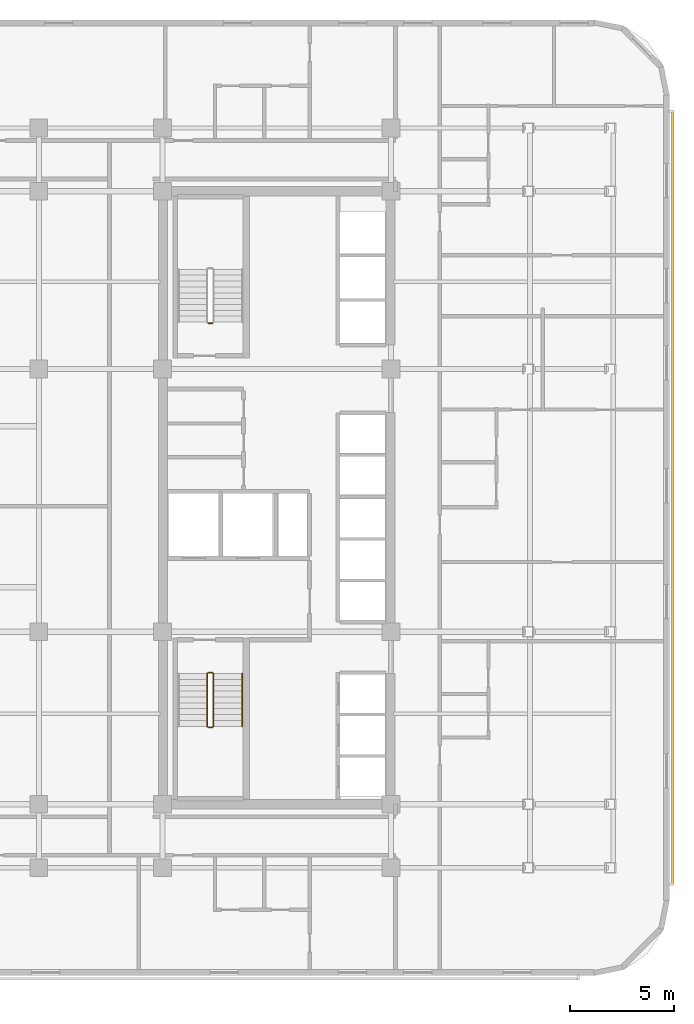
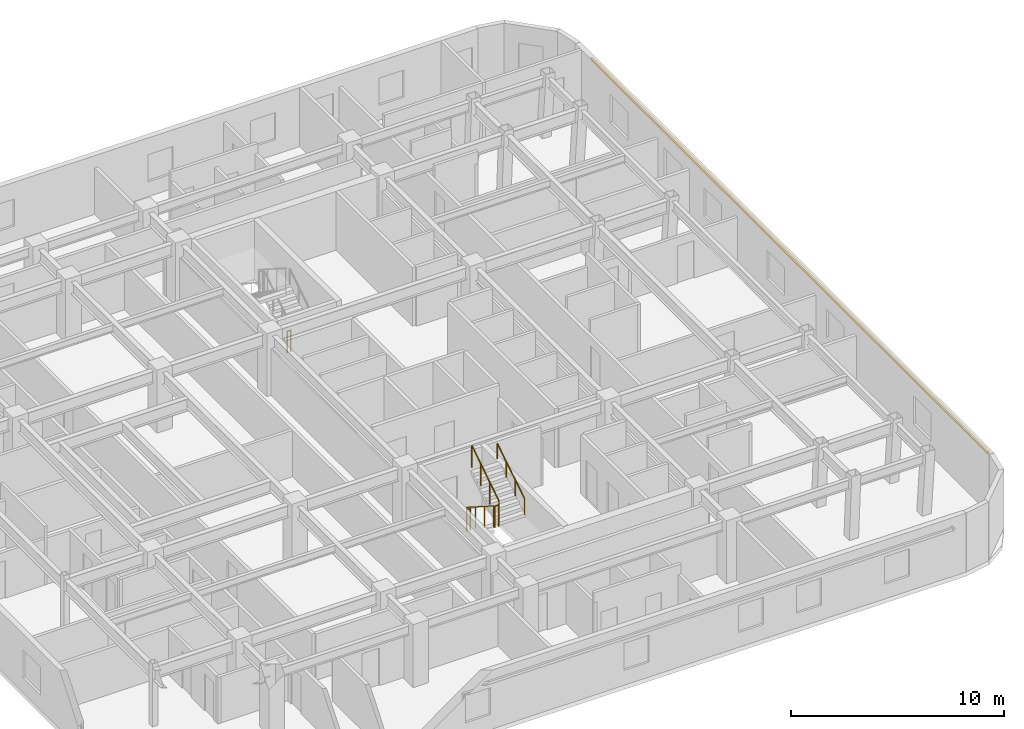
# One storey, part 13 of 14: 6 railings, 1 shading device.
"""IFC4 building model written with IfcOpenShell, lengths in metres."""

from ifc_helpers import new_model, si_unit, direction, frame, origin, origin_2d, place, context, subcontext, project, spatial, rectangle, circle, extrude, material, material_profile, profile_set, type_object, element, save


model = new_model("IFC4")

# Units and contexts
model_context = context("Model", 3, precision=1e-05, world=origin(), true_north=direction((0.0, 1.0)))
body_context = subcontext(model_context, "Body", "Model", "MODEL_VIEW")
ifc_project = project(units=[si_unit("LENGTHUNIT", "METRE"), si_unit("AREAUNIT", "SQUARE_METRE"), si_unit("VOLUMEUNIT", "CUBIC_METRE"), si_unit("PLANEANGLEUNIT", "RADIAN"), si_unit("MASSUNIT", "GRAM", prefix="KILO")], contexts=[model_context])

# Site, building, storey
site_placement = place(None, origin())
site = spatial("IfcSite", under=ifc_project, at=site_placement, CompositionType="ELEMENT")
building_placement = place(site_placement, origin())
building = spatial("IfcBuilding", under=site, at=building_placement, Name="Ochreholt Gables", CompositionType="ELEMENT")
storey_placement = place(building_placement, frame((0.0, 0.0, 52.800048828125)))
storey = spatial("IfcBuildingStorey", under=building, at=storey_placement, Name="L13", CompositionType="ELEMENT", Elevation=52.800048828125)

# Railings
ifc_material_1 = material(Name="Painted Steel Stair Guardrail", Category="steel")
railing_type_1 = type_object("IfcRailingType", Name="RL-ST-GUARD", PredefinedType="GUARDRAIL", material=ifc_material_1)
railing_1_placement = place(storey_placement, frame((26.35009765625, 15.5400390625, 0.179931640625)))
element("IfcRailing", 1, at=railing_1_placement, inside=storey, type_object=railing_type_1, Name="L13 ST-1 stair guard 1", PredefinedType="GUARDRAIL", context=body_context, shape_type="SweptSolid", body=[
    extrude(circle(Radius=0.02392578125, at=origin_2d()), frame((0.0, 0.0, 1.22607421875), z_axis=(0.0, -0.842912820907, 0.538050161556), x_axis=(1.0, 0.0, 0.0)), (0.0, 0.0, 1.0), 3.010986328125),
    extrude(circle(Radius=0.02099609375, at=origin_2d()), origin(), (0.0, 0.0, 1.0), 1.201904296875),
    extrude(circle(Radius=0.02099609375, at=origin_2d()), frame((0.0, -0.845947265625, 0.5400390625)), (0.0, 0.0, 1.0), 1.201904296875),
    extrude(circle(Radius=0.02099609375, at=origin_2d()), frame((0.0, -1.692138671875, 1.080078125)), (0.0, 0.0, 1.0), 1.201904296875),
    extrude(circle(Radius=0.02099609375, at=origin_2d()), frame((0.0, -2.5380859375, 1.6201171875)), (0.0, 0.0, 1.0), 1.201904296875),
])
railing_2_placement = place(storey_placement, frame((26.39990234375, 12.951904296875, 1.800048828125)))
element("IfcRailing", 2, at=railing_2_placement, inside=storey, type_object=railing_type_1, Name="L13 ST-1 stair guard 2", PredefinedType="GUARDRAIL", context=body_context, shape_type="SweptSolid", body=[
    extrude(circle(Radius=0.02392578125, at=origin_2d()), frame((0.0, 0.0, 1.22607421875), z_axis=(1.0, 0.0, 0.0), x_axis=(0.0, 1.0, 0.0)), (0.0, 0.0, 1.0), 0.2001953125),
    extrude(circle(Radius=0.02099609375, at=origin_2d()), origin(), (0.0, 0.0, 1.0), 1.201904296875),
    extrude(circle(Radius=0.02099609375, at=origin_2d()), frame((0.2001953125, 0.0, 0.0)), (0.0, 0.0, 1.0), 1.201904296875),
])
railing_3_placement = place(storey_placement, frame((26.64990234375, 13.001953125, 1.97998046875)))
element("IfcRailing", 3, at=railing_3_placement, inside=storey, type_object=railing_type_1, Name="L13 ST-1 stair guard 3", PredefinedType="GUARDRAIL", context=body_context, shape_type="SweptSolid", body=[
    extrude(circle(Radius=0.02392578125, at=origin_2d()), frame((0.0, 0.0, 1.22607421875), z_axis=(0.0, 0.842949592929, 0.537992549931), x_axis=(-1.0, 0.0, 0.0)), (0.0, 0.0, 1.0), 3.010986328125),
    extrude(circle(Radius=0.02099609375, at=origin_2d()), origin(), (0.0, 0.0, 1.0), 1.201904296875),
    extrude(circle(Radius=0.02099609375, at=origin_2d()), frame((0.0, 0.845947265625, 0.5400390625)), (0.0, 0.0, 1.0), 1.201904296875),
    extrude(circle(Radius=0.02099609375, at=origin_2d()), frame((0.0, 1.692138671875, 1.079833984375)), (0.0, 0.0, 1.0), 1.201904296875),
    extrude(circle(Radius=0.02099609375, at=origin_2d()), frame((0.0, 2.5380859375, 1.619873046875)), (0.0, 0.0, 1.0), 1.201904296875),
])
railing_4_placement = place(storey_placement, frame((26.39990234375, 15.590087890625, 0.0)))
element("IfcRailing", 4, at=railing_4_placement, inside=storey, type_object=railing_type_1, Name="L13 ST-1 stair guard 4", PredefinedType="GUARDRAIL", context=body_context, shape_type="SweptSolid", body=[
    extrude(circle(Radius=0.02392578125, at=origin_2d()), frame((0.0, 0.0, 1.22607421875), z_axis=(1.0, 0.0, 0.0), x_axis=(0.0, 1.0, 0.0)), (0.0, 0.0, 1.0), 0.2001953125),
    extrude(circle(Radius=0.02099609375, at=origin_2d()), origin(), (0.0, 0.0, 1.0), 1.201904296875),
    extrude(circle(Radius=0.02099609375, at=origin_2d()), frame((0.2001953125, 0.0, 0.0)), (0.0, 0.0, 1.0), 1.201904296875),
])
railing_5_placement = place(storey_placement, frame((26.60009765625, 32.409912109375, 0.0)))
element("IfcRailing", 5, at=railing_5_placement, inside=storey, type_object=railing_type_1, Name="L13 ST-2 stair guard 4", PredefinedType="GUARDRAIL", context=body_context, shape_type="SweptSolid", body=[
    extrude(circle(Radius=0.02392578125, at=origin_2d()), frame((0.0, 0.0, 1.22607421875), z_axis=(-1.0, 0.0, 0.0), x_axis=(0.0, -1.0, 0.0)), (0.0, 0.0, 1.0), 0.2001953125),
    extrude(circle(Radius=0.02099609375, at=origin_2d()), origin(), (0.0, 0.0, 1.0), 1.201904296875),
    extrude(circle(Radius=0.02099609375, at=origin_2d()), frame((-0.2001953125, 0.0, 0.0)), (0.0, 0.0, 1.0), 1.201904296875),
])
ifc_material_2 = material(Name="Brushed Stainless Steel Wall Handrail", Category="steel")
railing_type_2 = type_object("IfcRailingType", Name="RL-ST-HAND", PredefinedType="HANDRAIL", material=ifc_material_2)
railing_6_placement = place(storey_placement, frame((28.030029296875, 13.001953125, 1.97998046875)))
element("IfcRailing", 6, at=railing_6_placement, inside=storey, type_object=railing_type_2, Name="L13 ST-1 stair handrail 2", PredefinedType="HANDRAIL", context=body_context, shape_type="SweptSolid", body=[
    extrude(circle(Radius=0.02392578125, at=origin_2d()), frame((0.0, 0.0, 0.8759765625), z_axis=(0.0, 0.842949592929, 0.537992549931), x_axis=(-1.0, 0.0, 0.0)), (0.0, 0.0, 1.0), 3.010986328125),
    extrude(circle(Radius=0.02099609375, at=origin_2d()), origin(), (0.0, 0.0, 1.0), 0.851806640625),
    extrude(circle(Radius=0.02099609375, at=origin_2d()), frame((0.0, 0.845947265625, 0.5400390625)), (0.0, 0.0, 1.0), 0.851806640625),
    extrude(circle(Radius=0.02099609375, at=origin_2d()), frame((0.0, 1.692138671875, 1.079833984375)), (0.0, 0.0, 1.0), 0.851806640625),
    extrude(circle(Radius=0.02099609375, at=origin_2d()), frame((0.0, 2.5380859375, 1.619873046875)), (0.0, 0.0, 1.0), 0.851806640625),
])

# Shading device
ifc_material_3 = material(Name="Warm Ochre Glazed Terracotta Baguette", Category="masonry")
ifc_material_profile = material_profile(ifc_material_3, rectangle(XDim=0.110107421875, YDim=0.14990234375, at=origin_2d()), Name="TCBAG110X150")
ifc_profile_set = profile_set([ifc_material_profile], Name="Warm Ochre Glazed Terracotta Baguette")
shading_device_type = type_object("IfcShadingDeviceType", Name="SHD-BAGUETTE", PredefinedType="USERDEFINED", material=ifc_profile_set)
shading_device_placement = place(storey_placement, frame((48.75, 5.39990234375, 2.83984375), z_axis=(0.0, 1.0, 0.0), x_axis=(-1.0, 0.0, 0.0)))
element("IfcShadingDevice", 7, at=shading_device_placement, inside=storey, type_object=shading_device_type, Name="L13 Terracotta Baguette Screen E-1", ObjectType="BAGUETTE", PredefinedType="USERDEFINED", context=body_context, shape_type="SweptSolid", body=[
    extrude(rectangle(XDim=0.110107421875, YDim=0.14990234375, at=origin_2d()), origin(), (0.0, 0.0, 1.0), 37.2001953125),
])

save(model, "model.ifc")
